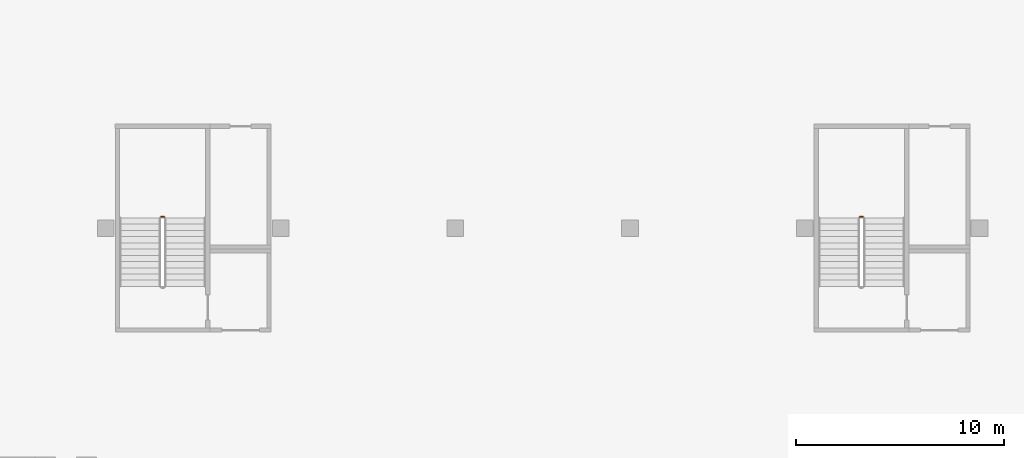
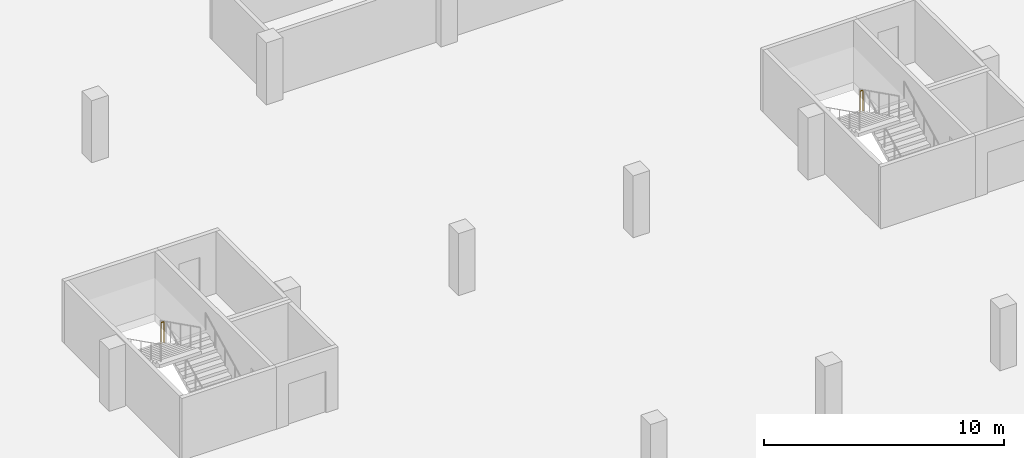
# One storey, part 24 of 37: 2 railings.
"""IFC4 building model written with IfcOpenShell, lengths in metres."""

from ifc_helpers import new_model, si_unit, direction, frame, origin, origin_2d, place, context, subcontext, project, spatial, circle, extrude, material, type_object, element, save


model = new_model("IFC4")

# Units and contexts
model_context = context("Model", 3, precision=1e-05, world=origin(), true_north=direction((0.0, 1.0)))
body_context = subcontext(model_context, "Body", "Model", "MODEL_VIEW")
ifc_project = project(units=[si_unit("LENGTHUNIT", "METRE"), si_unit("AREAUNIT", "SQUARE_METRE"), si_unit("VOLUMEUNIT", "CUBIC_METRE"), si_unit("PLANEANGLEUNIT", "RADIAN"), si_unit("MASSUNIT", "GRAM", prefix="KILO")], contexts=[model_context])

# Site, building, storey
site_placement = place(None, origin())
site = spatial("IfcSite", under=ifc_project, at=site_placement, CompositionType="ELEMENT")
building_placement = place(site_placement, origin())
building = spatial("IfcBuilding", under=site, at=building_placement, Name="Tamra Quay Hotel Tower", CompositionType="ELEMENT")
storey_placement = place(building_placement, frame((0.0, 0.0, -3.60009765625)))
storey = spatial("IfcBuildingStorey", under=building, at=storey_placement, Name="B1", CompositionType="ELEMENT", Elevation=-3.60009765625)

# Railings
ifc_material = material(Name="Basement stair guard 1100")
railing_type = type_object("IfcRailingType", Name="Basement stair guard 1100", PredefinedType="GUARDRAIL", material=ifc_material)
railing_1_placement = place(storey_placement, frame((-52.699951171875, -47.449951171875, 1.800048828125)))
element("IfcRailing", 1, at=railing_1_placement, inside=storey, type_object=railing_type, Name="BSG", PredefinedType="GUARDRAIL", context=body_context, shape_type="SweptSolid", body=[
    extrude(circle(Radius=0.02392578125, at=origin_2d()), frame((0.0, 0.0, 1.076171875), z_axis=(-1.0, 0.0, 0.0), x_axis=(0.0, -1.0, 0.0)), (0.0, 0.0, 1.0), 0.150146484375),
    extrude(circle(Radius=0.02099609375, at=origin_2d()), origin(), (0.0, 0.0, 1.0), 1.052001953125),
    extrude(circle(Radius=0.02099609375, at=origin_2d()), frame((-0.150146484375, 0.0, 0.0)), (0.0, 0.0, 1.0), 1.052001953125),
])
railing_2_placement = place(storey_placement, frame((-19.10009765625, -47.449951171875, 1.800048828125)))
element("IfcRailing", 2, at=railing_2_placement, inside=storey, type_object=railing_type, Name="BSG", PredefinedType="GUARDRAIL", context=body_context, shape_type="SweptSolid", body=[
    extrude(circle(Radius=0.02392578125, at=origin_2d()), frame((0.0, 0.0, 1.076171875), z_axis=(-1.0, 0.0, 0.0), x_axis=(0.0, -1.0, 0.0)), (0.0, 0.0, 1.0), 0.14990234375),
    extrude(circle(Radius=0.02099609375, at=origin_2d()), origin(), (0.0, 0.0, 1.0), 1.052001953125),
    extrude(circle(Radius=0.02099609375, at=origin_2d()), frame((-0.14990234375, 0.0, 0.0)), (0.0, 0.0, 1.0), 1.052001953125),
])

save(model, "model.ifc")
